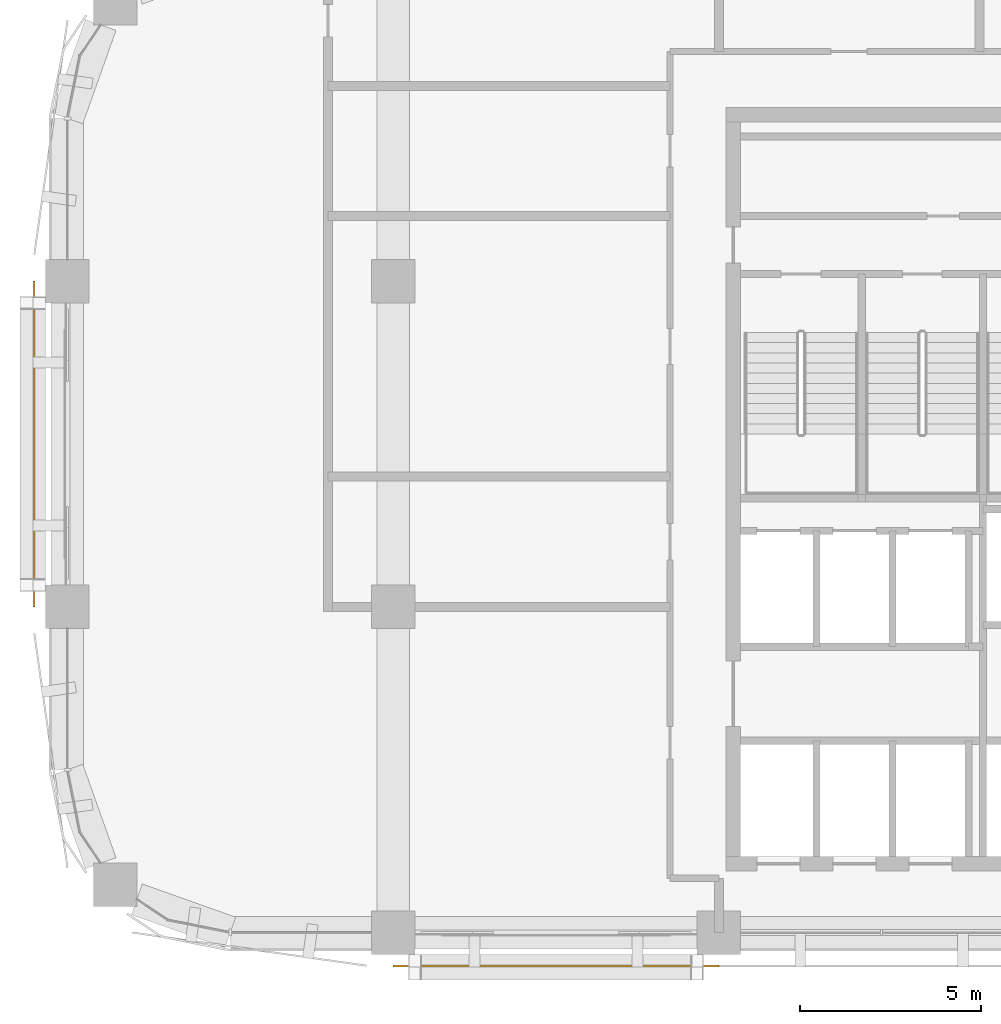
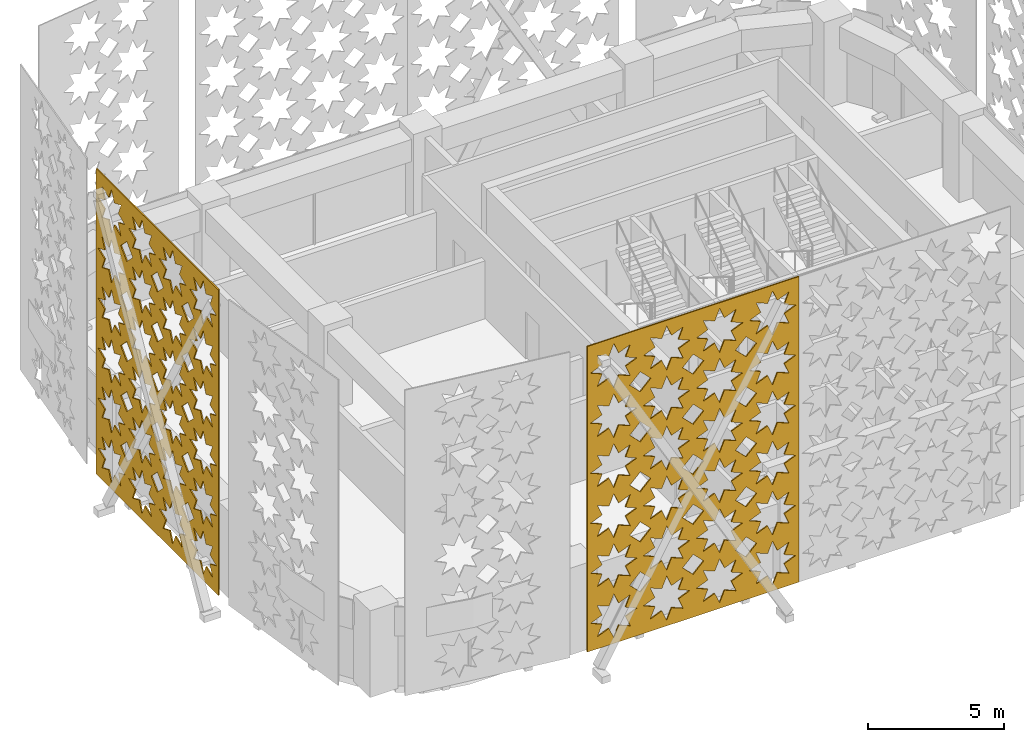
# One storey, part 11 of 17: 2 coverings.
"""IFC4 building model written with IfcOpenShell, lengths in metres."""

from ifc_helpers import new_model, si_unit, direction, frame, origin, place, context, subcontext, project, spatial, polyline, outline, extrude, material, layer, layer_set, type_object, element, save


model = new_model("IFC4")

# Units and contexts
model_context = context("Model", 3, precision=1e-05, world=origin(), true_north=direction((0.0, 1.0)))
body_context = subcontext(model_context, "Body", "Model", "MODEL_VIEW")
ifc_project = project(units=[si_unit("LENGTHUNIT", "METRE"), si_unit("AREAUNIT", "SQUARE_METRE"), si_unit("VOLUMEUNIT", "CUBIC_METRE"), si_unit("PLANEANGLEUNIT", "RADIAN"), si_unit("MASSUNIT", "GRAM", prefix="KILO")], contexts=[model_context])

# Site, building, storey
site_placement = place(None, origin())
site = spatial("IfcSite", under=ifc_project, at=site_placement, CompositionType="ELEMENT")
building_placement = place(site_placement, origin())
building = spatial("IfcBuilding", under=site, at=building_placement, Name="Tessera Arch", CompositionType="ELEMENT")
storey_placement = place(building_placement, frame((0.0, 0.0, 281.300048828125)))
storey = spatial("IfcBuildingStorey", under=building, at=storey_placement, Name="L68", CompositionType="ELEMENT", Elevation=281.300048828125)

# Coverings
ifc_material = material(Name="Anodised aluminium pale metal", Category="aluminium")
ifc_layer = layer(ifc_material, 0.050048828125)
ifc_layer_set = layer_set([ifc_layer], Name="Pierced screen panel straight bay")
covering_type = type_object("IfcCoveringType", Name="Pierced screen panel straight bay", PredefinedType="CLADDING", material=ifc_layer_set)
covering_1_placement = place(storey_placement, frame((17.10009765625, 45.0, 13.89990234375), z_axis=(1.0, 0.0, 0.0), x_axis=(0.0, -1.0, 0.0)))
element("IfcCovering", 1, at=covering_1_placement, inside=storey, type_object=covering_type, Name="SCREEN pierced panel W18.27/1 L68-L70", PredefinedType="CLADDING", context=body_context, shape_type="SweptSolid", body=[
    extrude(outline(polyline([(0.0, 0.0), (9.0, 0.0), (9.0, 13.739990234375), (0.0, 13.739990234375), (0.0, 0.0)]), holes=[polyline([(2.114990234375, 12.494873046875), (1.6240234375, 12.287841796875), (1.824951171875, 11.794921875), (1.33203125, 11.995849609375), (1.125, 11.5048828125), (0.91796875, 11.995849609375), (0.425048828125, 11.794921875), (0.6259765625, 12.287841796875), (0.135009765625, 12.494873046875), (0.6259765625, 12.701904296875), (0.425048828125, 13.195068359375), (0.91796875, 12.993896484375), (1.125, 13.48486328125), (1.33203125, 12.993896484375), (1.824951171875, 13.195068359375), (1.6240234375, 12.701904296875), (2.114990234375, 12.494873046875)]), polyline([(2.114990234375, 10.244873046875), (1.6240234375, 10.037841796875), (1.824951171875, 9.544921875), (1.33203125, 9.745849609375), (1.125, 9.2548828125), (0.91796875, 9.745849609375), (0.425048828125, 9.544921875), (0.6259765625, 10.037841796875), (0.135009765625, 10.244873046875), (0.6259765625, 10.451904296875), (0.425048828125, 10.945068359375), (0.91796875, 10.743896484375), (1.125, 11.23486328125), (1.33203125, 10.743896484375), (1.824951171875, 10.945068359375), (1.6240234375, 10.451904296875), (2.114990234375, 10.244873046875)]), polyline([(2.114990234375, 7.994873046875), (1.6240234375, 7.787841796875), (1.824951171875, 7.294921875), (1.33203125, 7.495849609375), (1.125, 7.0048828125), (0.91796875, 7.495849609375), (0.425048828125, 7.294921875), (0.6259765625, 7.787841796875), (0.135009765625, 7.994873046875), (0.6259765625, 8.201904296875), (0.425048828125, 8.695068359375), (0.91796875, 8.493896484375), (1.125, 8.98486328125), (1.33203125, 8.493896484375), (1.824951171875, 8.695068359375), (1.6240234375, 8.201904296875), (2.114990234375, 7.994873046875)]), polyline([(2.114990234375, 5.744873046875), (1.6240234375, 5.537841796875), (1.824951171875, 5.044921875), (1.33203125, 5.245849609375), (1.125, 4.7548828125), (0.91796875, 5.245849609375), (0.425048828125, 5.044921875), (0.6259765625, 5.537841796875), (0.135009765625, 5.744873046875), (0.6259765625, 5.951904296875), (0.425048828125, 6.445068359375), (0.91796875, 6.243896484375), (1.125, 6.73486328125), (1.33203125, 6.243896484375), (1.824951171875, 6.445068359375), (1.6240234375, 5.951904296875), (2.114990234375, 5.744873046875)]), polyline([(2.114990234375, 3.494873046875), (1.6240234375, 3.287841796875), (1.824951171875, 2.794921875), (1.33203125, 2.995849609375), (1.125, 2.5048828125), (0.91796875, 2.995849609375), (0.425048828125, 2.794921875), (0.6259765625, 3.287841796875), (0.135009765625, 3.494873046875), (0.6259765625, 3.701904296875), (0.425048828125, 4.195068359375), (0.91796875, 3.993896484375), (1.125, 4.48486328125), (1.33203125, 3.993896484375), (1.824951171875, 4.195068359375), (1.6240234375, 3.701904296875), (2.114990234375, 3.494873046875)]), polyline([(2.114990234375, 1.244873046875), (1.6240234375, 1.037841796875), (1.824951171875, 0.544921875), (1.33203125, 0.745849609375), (1.125, 0.2548828125), (0.91796875, 0.745849609375), (0.425048828125, 0.544921875), (0.6259765625, 1.037841796875), (0.135009765625, 1.244873046875), (0.6259765625, 1.451904296875), (0.425048828125, 1.945068359375), (0.91796875, 1.743896484375), (1.125, 2.23486328125), (1.33203125, 1.743896484375), (1.824951171875, 1.945068359375), (1.6240234375, 1.451904296875), (2.114990234375, 1.244873046875)]), polyline([(4.364990234375, 12.494873046875), (3.8740234375, 12.287841796875), (4.074951171875, 11.794921875), (3.58203125, 11.995849609375), (3.375, 11.5048828125), (3.16796875, 11.995849609375), (2.675048828125, 11.794921875), (2.8759765625, 12.287841796875), (2.385009765625, 12.494873046875), (2.8759765625, 12.701904296875), (2.675048828125, 13.195068359375), (3.16796875, 12.993896484375), (3.375, 13.48486328125), (3.58203125, 12.993896484375), (4.074951171875, 13.195068359375), (3.8740234375, 12.701904296875), (4.364990234375, 12.494873046875)]), polyline([(4.364990234375, 10.244873046875), (3.8740234375, 10.037841796875), (4.074951171875, 9.544921875), (3.58203125, 9.745849609375), (3.375, 9.2548828125), (3.16796875, 9.745849609375), (2.675048828125, 9.544921875), (2.8759765625, 10.037841796875), (2.385009765625, 10.244873046875), (2.8759765625, 10.451904296875), (2.675048828125, 10.945068359375), (3.16796875, 10.743896484375), (3.375, 11.23486328125), (3.58203125, 10.743896484375), (4.074951171875, 10.945068359375), (3.8740234375, 10.451904296875), (4.364990234375, 10.244873046875)]), polyline([(4.364990234375, 7.994873046875), (3.8740234375, 7.787841796875), (4.074951171875, 7.294921875), (3.58203125, 7.495849609375), (3.375, 7.0048828125), (3.16796875, 7.495849609375), (2.675048828125, 7.294921875), (2.8759765625, 7.787841796875), (2.385009765625, 7.994873046875), (2.8759765625, 8.201904296875), (2.675048828125, 8.695068359375), (3.16796875, 8.493896484375), (3.375, 8.98486328125), (3.58203125, 8.493896484375), (4.074951171875, 8.695068359375), (3.8740234375, 8.201904296875), (4.364990234375, 7.994873046875)]), polyline([(4.364990234375, 5.744873046875), (3.8740234375, 5.537841796875), (4.074951171875, 5.044921875), (3.58203125, 5.245849609375), (3.375, 4.7548828125), (3.16796875, 5.245849609375), (2.675048828125, 5.044921875), (2.8759765625, 5.537841796875), (2.385009765625, 5.744873046875), (2.8759765625, 5.951904296875), (2.675048828125, 6.445068359375), (3.16796875, 6.243896484375), (3.375, 6.73486328125), (3.58203125, 6.243896484375), (4.074951171875, 6.445068359375), (3.8740234375, 5.951904296875), (4.364990234375, 5.744873046875)]), polyline([(4.364990234375, 3.494873046875), (3.8740234375, 3.287841796875), (4.074951171875, 2.794921875), (3.58203125, 2.995849609375), (3.375, 2.5048828125), (3.16796875, 2.995849609375), (2.675048828125, 2.794921875), (2.8759765625, 3.287841796875), (2.385009765625, 3.494873046875), (2.8759765625, 3.701904296875), (2.675048828125, 4.195068359375), (3.16796875, 3.993896484375), (3.375, 4.48486328125), (3.58203125, 3.993896484375), (4.074951171875, 4.195068359375), (3.8740234375, 3.701904296875), (4.364990234375, 3.494873046875)]), polyline([(4.364990234375, 1.244873046875), (3.8740234375, 1.037841796875), (4.074951171875, 0.544921875), (3.58203125, 0.745849609375), (3.375, 0.2548828125), (3.16796875, 0.745849609375), (2.675048828125, 0.544921875), (2.8759765625, 1.037841796875), (2.385009765625, 1.244873046875), (2.8759765625, 1.451904296875), (2.675048828125, 1.945068359375), (3.16796875, 1.743896484375), (3.375, 2.23486328125), (3.58203125, 1.743896484375), (4.074951171875, 1.945068359375), (3.8740234375, 1.451904296875), (4.364990234375, 1.244873046875)]), polyline([(6.614990234375, 12.494873046875), (6.1240234375, 12.287841796875), (6.324951171875, 11.794921875), (5.83203125, 11.995849609375), (5.625, 11.5048828125), (5.41796875, 11.995849609375), (4.925048828125, 11.794921875), (5.1259765625, 12.287841796875), (4.635009765625, 12.494873046875), (5.1259765625, 12.701904296875), (4.925048828125, 13.195068359375), (5.41796875, 12.993896484375), (5.625, 13.48486328125), (5.83203125, 12.993896484375), (6.324951171875, 13.195068359375), (6.1240234375, 12.701904296875), (6.614990234375, 12.494873046875)]), polyline([(6.614990234375, 10.244873046875), (6.1240234375, 10.037841796875), (6.324951171875, 9.544921875), (5.83203125, 9.745849609375), (5.625, 9.2548828125), (5.41796875, 9.745849609375), (4.925048828125, 9.544921875), (5.1259765625, 10.037841796875), (4.635009765625, 10.244873046875), (5.1259765625, 10.451904296875), (4.925048828125, 10.945068359375), (5.41796875, 10.743896484375), (5.625, 11.23486328125), (5.83203125, 10.743896484375), (6.324951171875, 10.945068359375), (6.1240234375, 10.451904296875), (6.614990234375, 10.244873046875)]), polyline([(6.614990234375, 7.994873046875), (6.1240234375, 7.787841796875), (6.324951171875, 7.294921875), (5.83203125, 7.495849609375), (5.625, 7.0048828125), (5.41796875, 7.495849609375), (4.925048828125, 7.294921875), (5.1259765625, 7.787841796875), (4.635009765625, 7.994873046875), (5.1259765625, 8.201904296875), (4.925048828125, 8.695068359375), (5.41796875, 8.493896484375), (5.625, 8.98486328125), (5.83203125, 8.493896484375), (6.324951171875, 8.695068359375), (6.1240234375, 8.201904296875), (6.614990234375, 7.994873046875)]), polyline([(6.614990234375, 5.744873046875), (6.1240234375, 5.537841796875), (6.324951171875, 5.044921875), (5.83203125, 5.245849609375), (5.625, 4.7548828125), (5.41796875, 5.245849609375), (4.925048828125, 5.044921875), (5.1259765625, 5.537841796875), (4.635009765625, 5.744873046875), (5.1259765625, 5.951904296875), (4.925048828125, 6.445068359375), (5.41796875, 6.243896484375), (5.625, 6.73486328125), (5.83203125, 6.243896484375), (6.324951171875, 6.445068359375), (6.1240234375, 5.951904296875), (6.614990234375, 5.744873046875)]), polyline([(6.614990234375, 3.494873046875), (6.1240234375, 3.287841796875), (6.324951171875, 2.794921875), (5.83203125, 2.995849609375), (5.625, 2.5048828125), (5.41796875, 2.995849609375), (4.925048828125, 2.794921875), (5.1259765625, 3.287841796875), (4.635009765625, 3.494873046875), (5.1259765625, 3.701904296875), (4.925048828125, 4.195068359375), (5.41796875, 3.993896484375), (5.625, 4.48486328125), (5.83203125, 3.993896484375), (6.324951171875, 4.195068359375), (6.1240234375, 3.701904296875), (6.614990234375, 3.494873046875)]), polyline([(6.614990234375, 1.244873046875), (6.1240234375, 1.037841796875), (6.324951171875, 0.544921875), (5.83203125, 0.745849609375), (5.625, 0.2548828125), (5.41796875, 0.745849609375), (4.925048828125, 0.544921875), (5.1259765625, 1.037841796875), (4.635009765625, 1.244873046875), (5.1259765625, 1.451904296875), (4.925048828125, 1.945068359375), (5.41796875, 1.743896484375), (5.625, 2.23486328125), (5.83203125, 1.743896484375), (6.324951171875, 1.945068359375), (6.1240234375, 1.451904296875), (6.614990234375, 1.244873046875)]), polyline([(8.864990234375, 12.494873046875), (8.3740234375, 12.287841796875), (8.574951171875, 11.794921875), (8.08203125, 11.995849609375), (7.875, 11.5048828125), (7.66796875, 11.995849609375), (7.175048828125, 11.794921875), (7.3759765625, 12.287841796875), (6.885009765625, 12.494873046875), (7.3759765625, 12.701904296875), (7.175048828125, 13.195068359375), (7.66796875, 12.993896484375), (7.875, 13.48486328125), (8.08203125, 12.993896484375), (8.574951171875, 13.195068359375), (8.3740234375, 12.701904296875), (8.864990234375, 12.494873046875)]), polyline([(8.864990234375, 10.244873046875), (8.3740234375, 10.037841796875), (8.574951171875, 9.544921875), (8.08203125, 9.745849609375), (7.875, 9.2548828125), (7.66796875, 9.745849609375), (7.175048828125, 9.544921875), (7.3759765625, 10.037841796875), (6.885009765625, 10.244873046875), (7.3759765625, 10.451904296875), (7.175048828125, 10.945068359375), (7.66796875, 10.743896484375), (7.875, 11.23486328125), (8.08203125, 10.743896484375), (8.574951171875, 10.945068359375), (8.3740234375, 10.451904296875), (8.864990234375, 10.244873046875)]), polyline([(8.864990234375, 7.994873046875), (8.3740234375, 7.787841796875), (8.574951171875, 7.294921875), (8.08203125, 7.495849609375), (7.875, 7.0048828125), (7.66796875, 7.495849609375), (7.175048828125, 7.294921875), (7.3759765625, 7.787841796875), (6.885009765625, 7.994873046875), (7.3759765625, 8.201904296875), (7.175048828125, 8.695068359375), (7.66796875, 8.493896484375), (7.875, 8.98486328125), (8.08203125, 8.493896484375), (8.574951171875, 8.695068359375), (8.3740234375, 8.201904296875), (8.864990234375, 7.994873046875)]), polyline([(8.864990234375, 5.744873046875), (8.3740234375, 5.537841796875), (8.574951171875, 5.044921875), (8.08203125, 5.245849609375), (7.875, 4.7548828125), (7.66796875, 5.245849609375), (7.175048828125, 5.044921875), (7.3759765625, 5.537841796875), (6.885009765625, 5.744873046875), (7.3759765625, 5.951904296875), (7.175048828125, 6.445068359375), (7.66796875, 6.243896484375), (7.875, 6.73486328125), (8.08203125, 6.243896484375), (8.574951171875, 6.445068359375), (8.3740234375, 5.951904296875), (8.864990234375, 5.744873046875)]), polyline([(8.864990234375, 3.494873046875), (8.3740234375, 3.287841796875), (8.574951171875, 2.794921875), (8.08203125, 2.995849609375), (7.875, 2.5048828125), (7.66796875, 2.995849609375), (7.175048828125, 2.794921875), (7.3759765625, 3.287841796875), (6.885009765625, 3.494873046875), (7.3759765625, 3.701904296875), (7.175048828125, 4.195068359375), (7.66796875, 3.993896484375), (7.875, 4.48486328125), (8.08203125, 3.993896484375), (8.574951171875, 4.195068359375), (8.3740234375, 3.701904296875), (8.864990234375, 3.494873046875)]), polyline([(8.864990234375, 1.244873046875), (8.3740234375, 1.037841796875), (8.574951171875, 0.544921875), (8.08203125, 0.745849609375), (7.875, 0.2548828125), (7.66796875, 0.745849609375), (7.175048828125, 0.544921875), (7.3759765625, 1.037841796875), (6.885009765625, 1.244873046875), (7.3759765625, 1.451904296875), (7.175048828125, 1.945068359375), (7.66796875, 1.743896484375), (7.875, 2.23486328125), (8.08203125, 1.743896484375), (8.574951171875, 1.945068359375), (8.3740234375, 1.451904296875), (8.864990234375, 1.244873046875)]), polyline([(2.699951171875, 11.369873046875), (2.25, 10.919921875), (1.800048828125, 11.369873046875), (2.25, 11.820068359375), (2.699951171875, 11.369873046875)]), polyline([(2.699951171875, 9.119873046875), (2.25, 8.669921875), (1.800048828125, 9.119873046875), (2.25, 9.570068359375), (2.699951171875, 9.119873046875)]), polyline([(2.699951171875, 6.869873046875), (2.25, 6.419921875), (1.800048828125, 6.869873046875), (2.25, 7.320068359375), (2.699951171875, 6.869873046875)]), polyline([(2.699951171875, 4.619873046875), (2.25, 4.169921875), (1.800048828125, 4.619873046875), (2.25, 5.070068359375), (2.699951171875, 4.619873046875)]), polyline([(2.699951171875, 2.369873046875), (2.25, 1.919921875), (1.800048828125, 2.369873046875), (2.25, 2.820068359375), (2.699951171875, 2.369873046875)]), polyline([(4.949951171875, 11.369873046875), (4.5, 10.919921875), (4.050048828125, 11.369873046875), (4.5, 11.820068359375), (4.949951171875, 11.369873046875)]), polyline([(4.949951171875, 9.119873046875), (4.5, 8.669921875), (4.050048828125, 9.119873046875), (4.5, 9.570068359375), (4.949951171875, 9.119873046875)]), polyline([(4.949951171875, 6.869873046875), (4.5, 6.419921875), (4.050048828125, 6.869873046875), (4.5, 7.320068359375), (4.949951171875, 6.869873046875)]), polyline([(4.949951171875, 4.619873046875), (4.5, 4.169921875), (4.050048828125, 4.619873046875), (4.5, 5.070068359375), (4.949951171875, 4.619873046875)]), polyline([(4.949951171875, 2.369873046875), (4.5, 1.919921875), (4.050048828125, 2.369873046875), (4.5, 2.820068359375), (4.949951171875, 2.369873046875)]), polyline([(7.199951171875, 11.369873046875), (6.75, 10.919921875), (6.300048828125, 11.369873046875), (6.75, 11.820068359375), (7.199951171875, 11.369873046875)]), polyline([(7.199951171875, 9.119873046875), (6.75, 8.669921875), (6.300048828125, 9.119873046875), (6.75, 9.570068359375), (7.199951171875, 9.119873046875)]), polyline([(7.199951171875, 6.869873046875), (6.75, 6.419921875), (6.300048828125, 6.869873046875), (6.75, 7.320068359375), (7.199951171875, 6.869873046875)]), polyline([(7.199951171875, 4.619873046875), (6.75, 4.169921875), (6.300048828125, 4.619873046875), (6.75, 5.070068359375), (7.199951171875, 4.619873046875)]), polyline([(7.199951171875, 2.369873046875), (6.75, 1.919921875), (6.300048828125, 2.369873046875), (6.75, 2.820068359375), (7.199951171875, 2.369873046875)])]), origin(), (0.0, 0.0, -1.0), 0.050048828125),
])
covering_2_placement = place(storey_placement, frame((27.0, 26.10009765625, 13.89990234375), z_axis=(0.0, 1.0, 0.0), x_axis=(1.0, 0.0, 0.0)))
element("IfcCovering", 2, at=covering_2_placement, inside=storey, type_object=covering_type, Name="SCREEN pierced panel S27.18/1 L68-L70", PredefinedType="CLADDING", context=body_context, shape_type="SweptSolid", body=[
    extrude(outline(polyline([(0.0, 0.0), (9.0, 0.0), (9.0, 13.739990234375), (0.0, 13.739990234375), (0.0, 0.0)]), holes=[polyline([(2.114990234375, 12.494873046875), (1.6240234375, 12.287841796875), (1.824951171875, 11.794921875), (1.33203125, 11.995849609375), (1.125, 11.5048828125), (0.91796875, 11.995849609375), (0.425048828125, 11.794921875), (0.6259765625, 12.287841796875), (0.135009765625, 12.494873046875), (0.6259765625, 12.701904296875), (0.425048828125, 13.195068359375), (0.91796875, 12.993896484375), (1.125, 13.48486328125), (1.33203125, 12.993896484375), (1.824951171875, 13.195068359375), (1.6240234375, 12.701904296875), (2.114990234375, 12.494873046875)]), polyline([(2.114990234375, 10.244873046875), (1.6240234375, 10.037841796875), (1.824951171875, 9.544921875), (1.33203125, 9.745849609375), (1.125, 9.2548828125), (0.91796875, 9.745849609375), (0.425048828125, 9.544921875), (0.6259765625, 10.037841796875), (0.135009765625, 10.244873046875), (0.6259765625, 10.451904296875), (0.425048828125, 10.945068359375), (0.91796875, 10.743896484375), (1.125, 11.23486328125), (1.33203125, 10.743896484375), (1.824951171875, 10.945068359375), (1.6240234375, 10.451904296875), (2.114990234375, 10.244873046875)]), polyline([(2.114990234375, 7.994873046875), (1.6240234375, 7.787841796875), (1.824951171875, 7.294921875), (1.33203125, 7.495849609375), (1.125, 7.0048828125), (0.91796875, 7.495849609375), (0.425048828125, 7.294921875), (0.6259765625, 7.787841796875), (0.135009765625, 7.994873046875), (0.6259765625, 8.201904296875), (0.425048828125, 8.695068359375), (0.91796875, 8.493896484375), (1.125, 8.98486328125), (1.33203125, 8.493896484375), (1.824951171875, 8.695068359375), (1.6240234375, 8.201904296875), (2.114990234375, 7.994873046875)]), polyline([(2.114990234375, 5.744873046875), (1.6240234375, 5.537841796875), (1.824951171875, 5.044921875), (1.33203125, 5.245849609375), (1.125, 4.7548828125), (0.91796875, 5.245849609375), (0.425048828125, 5.044921875), (0.6259765625, 5.537841796875), (0.135009765625, 5.744873046875), (0.6259765625, 5.951904296875), (0.425048828125, 6.445068359375), (0.91796875, 6.243896484375), (1.125, 6.73486328125), (1.33203125, 6.243896484375), (1.824951171875, 6.445068359375), (1.6240234375, 5.951904296875), (2.114990234375, 5.744873046875)]), polyline([(2.114990234375, 3.494873046875), (1.6240234375, 3.287841796875), (1.824951171875, 2.794921875), (1.33203125, 2.995849609375), (1.125, 2.5048828125), (0.91796875, 2.995849609375), (0.425048828125, 2.794921875), (0.6259765625, 3.287841796875), (0.135009765625, 3.494873046875), (0.6259765625, 3.701904296875), (0.425048828125, 4.195068359375), (0.91796875, 3.993896484375), (1.125, 4.48486328125), (1.33203125, 3.993896484375), (1.824951171875, 4.195068359375), (1.6240234375, 3.701904296875), (2.114990234375, 3.494873046875)]), polyline([(2.114990234375, 1.244873046875), (1.6240234375, 1.037841796875), (1.824951171875, 0.544921875), (1.33203125, 0.745849609375), (1.125, 0.2548828125), (0.91796875, 0.745849609375), (0.425048828125, 0.544921875), (0.6259765625, 1.037841796875), (0.135009765625, 1.244873046875), (0.6259765625, 1.451904296875), (0.425048828125, 1.945068359375), (0.91796875, 1.743896484375), (1.125, 2.23486328125), (1.33203125, 1.743896484375), (1.824951171875, 1.945068359375), (1.6240234375, 1.451904296875), (2.114990234375, 1.244873046875)]), polyline([(4.364990234375, 12.494873046875), (3.8740234375, 12.287841796875), (4.074951171875, 11.794921875), (3.58203125, 11.995849609375), (3.375, 11.5048828125), (3.16796875, 11.995849609375), (2.675048828125, 11.794921875), (2.8759765625, 12.287841796875), (2.385009765625, 12.494873046875), (2.8759765625, 12.701904296875), (2.675048828125, 13.195068359375), (3.16796875, 12.993896484375), (3.375, 13.48486328125), (3.58203125, 12.993896484375), (4.074951171875, 13.195068359375), (3.8740234375, 12.701904296875), (4.364990234375, 12.494873046875)]), polyline([(4.364990234375, 10.244873046875), (3.8740234375, 10.037841796875), (4.074951171875, 9.544921875), (3.58203125, 9.745849609375), (3.375, 9.2548828125), (3.16796875, 9.745849609375), (2.675048828125, 9.544921875), (2.8759765625, 10.037841796875), (2.385009765625, 10.244873046875), (2.8759765625, 10.451904296875), (2.675048828125, 10.945068359375), (3.16796875, 10.743896484375), (3.375, 11.23486328125), (3.58203125, 10.743896484375), (4.074951171875, 10.945068359375), (3.8740234375, 10.451904296875), (4.364990234375, 10.244873046875)]), polyline([(4.364990234375, 7.994873046875), (3.8740234375, 7.787841796875), (4.074951171875, 7.294921875), (3.58203125, 7.495849609375), (3.375, 7.0048828125), (3.16796875, 7.495849609375), (2.675048828125, 7.294921875), (2.8759765625, 7.787841796875), (2.385009765625, 7.994873046875), (2.8759765625, 8.201904296875), (2.675048828125, 8.695068359375), (3.16796875, 8.493896484375), (3.375, 8.98486328125), (3.58203125, 8.493896484375), (4.074951171875, 8.695068359375), (3.8740234375, 8.201904296875), (4.364990234375, 7.994873046875)]), polyline([(4.364990234375, 5.744873046875), (3.8740234375, 5.537841796875), (4.074951171875, 5.044921875), (3.58203125, 5.245849609375), (3.375, 4.7548828125), (3.16796875, 5.245849609375), (2.675048828125, 5.044921875), (2.8759765625, 5.537841796875), (2.385009765625, 5.744873046875), (2.8759765625, 5.951904296875), (2.675048828125, 6.445068359375), (3.16796875, 6.243896484375), (3.375, 6.73486328125), (3.58203125, 6.243896484375), (4.074951171875, 6.445068359375), (3.8740234375, 5.951904296875), (4.364990234375, 5.744873046875)]), polyline([(4.364990234375, 3.494873046875), (3.8740234375, 3.287841796875), (4.074951171875, 2.794921875), (3.58203125, 2.995849609375), (3.375, 2.5048828125), (3.16796875, 2.995849609375), (2.675048828125, 2.794921875), (2.8759765625, 3.287841796875), (2.385009765625, 3.494873046875), (2.8759765625, 3.701904296875), (2.675048828125, 4.195068359375), (3.16796875, 3.993896484375), (3.375, 4.48486328125), (3.58203125, 3.993896484375), (4.074951171875, 4.195068359375), (3.8740234375, 3.701904296875), (4.364990234375, 3.494873046875)]), polyline([(4.364990234375, 1.244873046875), (3.8740234375, 1.037841796875), (4.074951171875, 0.544921875), (3.58203125, 0.745849609375), (3.375, 0.2548828125), (3.16796875, 0.745849609375), (2.675048828125, 0.544921875), (2.8759765625, 1.037841796875), (2.385009765625, 1.244873046875), (2.8759765625, 1.451904296875), (2.675048828125, 1.945068359375), (3.16796875, 1.743896484375), (3.375, 2.23486328125), (3.58203125, 1.743896484375), (4.074951171875, 1.945068359375), (3.8740234375, 1.451904296875), (4.364990234375, 1.244873046875)]), polyline([(6.614990234375, 12.494873046875), (6.1240234375, 12.287841796875), (6.324951171875, 11.794921875), (5.83203125, 11.995849609375), (5.625, 11.5048828125), (5.41796875, 11.995849609375), (4.925048828125, 11.794921875), (5.1259765625, 12.287841796875), (4.635009765625, 12.494873046875), (5.1259765625, 12.701904296875), (4.925048828125, 13.195068359375), (5.41796875, 12.993896484375), (5.625, 13.48486328125), (5.83203125, 12.993896484375), (6.324951171875, 13.195068359375), (6.1240234375, 12.701904296875), (6.614990234375, 12.494873046875)]), polyline([(6.614990234375, 10.244873046875), (6.1240234375, 10.037841796875), (6.324951171875, 9.544921875), (5.83203125, 9.745849609375), (5.625, 9.2548828125), (5.41796875, 9.745849609375), (4.925048828125, 9.544921875), (5.1259765625, 10.037841796875), (4.635009765625, 10.244873046875), (5.1259765625, 10.451904296875), (4.925048828125, 10.945068359375), (5.41796875, 10.743896484375), (5.625, 11.23486328125), (5.83203125, 10.743896484375), (6.324951171875, 10.945068359375), (6.1240234375, 10.451904296875), (6.614990234375, 10.244873046875)]), polyline([(6.614990234375, 7.994873046875), (6.1240234375, 7.787841796875), (6.324951171875, 7.294921875), (5.83203125, 7.495849609375), (5.625, 7.0048828125), (5.41796875, 7.495849609375), (4.925048828125, 7.294921875), (5.1259765625, 7.787841796875), (4.635009765625, 7.994873046875), (5.1259765625, 8.201904296875), (4.925048828125, 8.695068359375), (5.41796875, 8.493896484375), (5.625, 8.98486328125), (5.83203125, 8.493896484375), (6.324951171875, 8.695068359375), (6.1240234375, 8.201904296875), (6.614990234375, 7.994873046875)]), polyline([(6.614990234375, 5.744873046875), (6.1240234375, 5.537841796875), (6.324951171875, 5.044921875), (5.83203125, 5.245849609375), (5.625, 4.7548828125), (5.41796875, 5.245849609375), (4.925048828125, 5.044921875), (5.1259765625, 5.537841796875), (4.635009765625, 5.744873046875), (5.1259765625, 5.951904296875), (4.925048828125, 6.445068359375), (5.41796875, 6.243896484375), (5.625, 6.73486328125), (5.83203125, 6.243896484375), (6.324951171875, 6.445068359375), (6.1240234375, 5.951904296875), (6.614990234375, 5.744873046875)]), polyline([(6.614990234375, 3.494873046875), (6.1240234375, 3.287841796875), (6.324951171875, 2.794921875), (5.83203125, 2.995849609375), (5.625, 2.5048828125), (5.41796875, 2.995849609375), (4.925048828125, 2.794921875), (5.1259765625, 3.287841796875), (4.635009765625, 3.494873046875), (5.1259765625, 3.701904296875), (4.925048828125, 4.195068359375), (5.41796875, 3.993896484375), (5.625, 4.48486328125), (5.83203125, 3.993896484375), (6.324951171875, 4.195068359375), (6.1240234375, 3.701904296875), (6.614990234375, 3.494873046875)]), polyline([(6.614990234375, 1.244873046875), (6.1240234375, 1.037841796875), (6.324951171875, 0.544921875), (5.83203125, 0.745849609375), (5.625, 0.2548828125), (5.41796875, 0.745849609375), (4.925048828125, 0.544921875), (5.1259765625, 1.037841796875), (4.635009765625, 1.244873046875), (5.1259765625, 1.451904296875), (4.925048828125, 1.945068359375), (5.41796875, 1.743896484375), (5.625, 2.23486328125), (5.83203125, 1.743896484375), (6.324951171875, 1.945068359375), (6.1240234375, 1.451904296875), (6.614990234375, 1.244873046875)]), polyline([(8.864990234375, 12.494873046875), (8.3740234375, 12.287841796875), (8.574951171875, 11.794921875), (8.08203125, 11.995849609375), (7.875, 11.5048828125), (7.66796875, 11.995849609375), (7.175048828125, 11.794921875), (7.3759765625, 12.287841796875), (6.885009765625, 12.494873046875), (7.3759765625, 12.701904296875), (7.175048828125, 13.195068359375), (7.66796875, 12.993896484375), (7.875, 13.48486328125), (8.08203125, 12.993896484375), (8.574951171875, 13.195068359375), (8.3740234375, 12.701904296875), (8.864990234375, 12.494873046875)]), polyline([(8.864990234375, 10.244873046875), (8.3740234375, 10.037841796875), (8.574951171875, 9.544921875), (8.08203125, 9.745849609375), (7.875, 9.2548828125), (7.66796875, 9.745849609375), (7.175048828125, 9.544921875), (7.3759765625, 10.037841796875), (6.885009765625, 10.244873046875), (7.3759765625, 10.451904296875), (7.175048828125, 10.945068359375), (7.66796875, 10.743896484375), (7.875, 11.23486328125), (8.08203125, 10.743896484375), (8.574951171875, 10.945068359375), (8.3740234375, 10.451904296875), (8.864990234375, 10.244873046875)]), polyline([(8.864990234375, 7.994873046875), (8.3740234375, 7.787841796875), (8.574951171875, 7.294921875), (8.08203125, 7.495849609375), (7.875, 7.0048828125), (7.66796875, 7.495849609375), (7.175048828125, 7.294921875), (7.3759765625, 7.787841796875), (6.885009765625, 7.994873046875), (7.3759765625, 8.201904296875), (7.175048828125, 8.695068359375), (7.66796875, 8.493896484375), (7.875, 8.98486328125), (8.08203125, 8.493896484375), (8.574951171875, 8.695068359375), (8.3740234375, 8.201904296875), (8.864990234375, 7.994873046875)]), polyline([(8.864990234375, 5.744873046875), (8.3740234375, 5.537841796875), (8.574951171875, 5.044921875), (8.08203125, 5.245849609375), (7.875, 4.7548828125), (7.66796875, 5.245849609375), (7.175048828125, 5.044921875), (7.3759765625, 5.537841796875), (6.885009765625, 5.744873046875), (7.3759765625, 5.951904296875), (7.175048828125, 6.445068359375), (7.66796875, 6.243896484375), (7.875, 6.73486328125), (8.08203125, 6.243896484375), (8.574951171875, 6.445068359375), (8.3740234375, 5.951904296875), (8.864990234375, 5.744873046875)]), polyline([(8.864990234375, 3.494873046875), (8.3740234375, 3.287841796875), (8.574951171875, 2.794921875), (8.08203125, 2.995849609375), (7.875, 2.5048828125), (7.66796875, 2.995849609375), (7.175048828125, 2.794921875), (7.3759765625, 3.287841796875), (6.885009765625, 3.494873046875), (7.3759765625, 3.701904296875), (7.175048828125, 4.195068359375), (7.66796875, 3.993896484375), (7.875, 4.48486328125), (8.08203125, 3.993896484375), (8.574951171875, 4.195068359375), (8.3740234375, 3.701904296875), (8.864990234375, 3.494873046875)]), polyline([(8.864990234375, 1.244873046875), (8.3740234375, 1.037841796875), (8.574951171875, 0.544921875), (8.08203125, 0.745849609375), (7.875, 0.2548828125), (7.66796875, 0.745849609375), (7.175048828125, 0.544921875), (7.3759765625, 1.037841796875), (6.885009765625, 1.244873046875), (7.3759765625, 1.451904296875), (7.175048828125, 1.945068359375), (7.66796875, 1.743896484375), (7.875, 2.23486328125), (8.08203125, 1.743896484375), (8.574951171875, 1.945068359375), (8.3740234375, 1.451904296875), (8.864990234375, 1.244873046875)]), polyline([(2.699951171875, 11.369873046875), (2.25, 10.919921875), (1.800048828125, 11.369873046875), (2.25, 11.820068359375), (2.699951171875, 11.369873046875)]), polyline([(2.699951171875, 9.119873046875), (2.25, 8.669921875), (1.800048828125, 9.119873046875), (2.25, 9.570068359375), (2.699951171875, 9.119873046875)]), polyline([(2.699951171875, 6.869873046875), (2.25, 6.419921875), (1.800048828125, 6.869873046875), (2.25, 7.320068359375), (2.699951171875, 6.869873046875)]), polyline([(2.699951171875, 4.619873046875), (2.25, 4.169921875), (1.800048828125, 4.619873046875), (2.25, 5.070068359375), (2.699951171875, 4.619873046875)]), polyline([(2.699951171875, 2.369873046875), (2.25, 1.919921875), (1.800048828125, 2.369873046875), (2.25, 2.820068359375), (2.699951171875, 2.369873046875)]), polyline([(4.949951171875, 11.369873046875), (4.5, 10.919921875), (4.050048828125, 11.369873046875), (4.5, 11.820068359375), (4.949951171875, 11.369873046875)]), polyline([(4.949951171875, 9.119873046875), (4.5, 8.669921875), (4.050048828125, 9.119873046875), (4.5, 9.570068359375), (4.949951171875, 9.119873046875)]), polyline([(4.949951171875, 6.869873046875), (4.5, 6.419921875), (4.050048828125, 6.869873046875), (4.5, 7.320068359375), (4.949951171875, 6.869873046875)]), polyline([(4.949951171875, 4.619873046875), (4.5, 4.169921875), (4.050048828125, 4.619873046875), (4.5, 5.070068359375), (4.949951171875, 4.619873046875)]), polyline([(4.949951171875, 2.369873046875), (4.5, 1.919921875), (4.050048828125, 2.369873046875), (4.5, 2.820068359375), (4.949951171875, 2.369873046875)]), polyline([(7.199951171875, 11.369873046875), (6.75, 10.919921875), (6.300048828125, 11.369873046875), (6.75, 11.820068359375), (7.199951171875, 11.369873046875)]), polyline([(7.199951171875, 9.119873046875), (6.75, 8.669921875), (6.300048828125, 9.119873046875), (6.75, 9.570068359375), (7.199951171875, 9.119873046875)]), polyline([(7.199951171875, 6.869873046875), (6.75, 6.419921875), (6.300048828125, 6.869873046875), (6.75, 7.320068359375), (7.199951171875, 6.869873046875)]), polyline([(7.199951171875, 4.619873046875), (6.75, 4.169921875), (6.300048828125, 4.619873046875), (6.75, 5.070068359375), (7.199951171875, 4.619873046875)]), polyline([(7.199951171875, 2.369873046875), (6.75, 1.919921875), (6.300048828125, 2.369873046875), (6.75, 2.820068359375), (7.199951171875, 2.369873046875)])]), origin(), (0.0, 0.0, -1.0), 0.050048828125),
])

save(model, "model.ifc")
